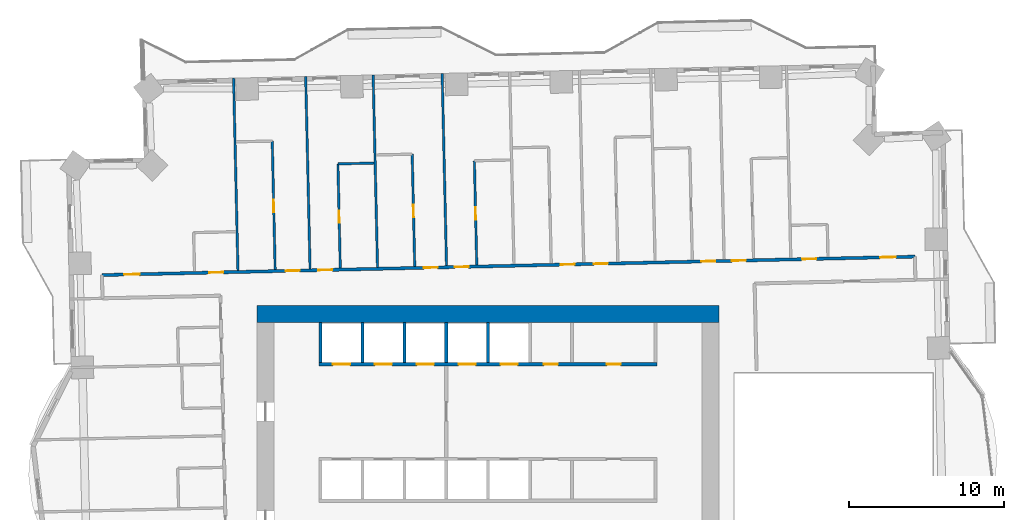
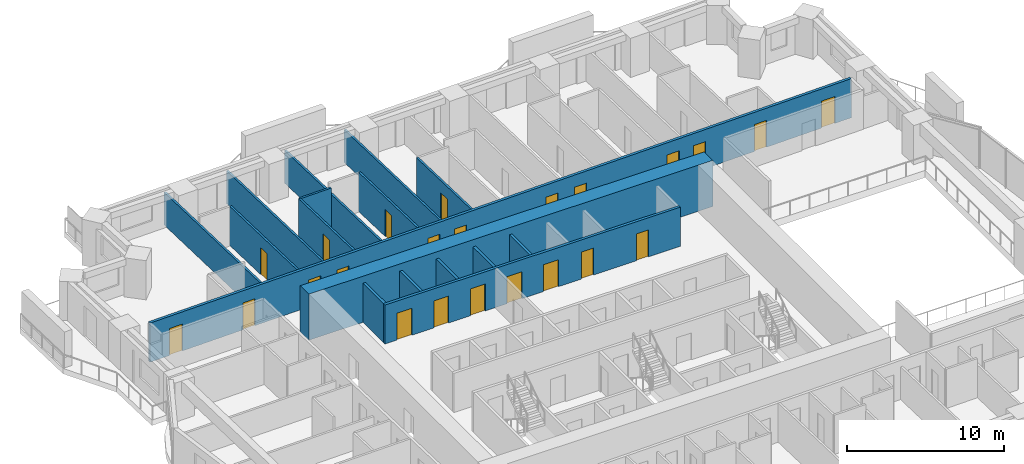
# One storey, part 11 of 17: 23 doors, 17 walls, 23 openings.
"""IFC4 building model written with IfcOpenShell, lengths in metres."""

from ifc_helpers import new_model, si_unit, direction, frame, frame_2d, origin, place, context, subcontext, project, spatial, rectangle, extrude, material, layer, layer_set, type_object, element, fill, save


model = new_model("IFC4")

# Units and contexts
model_context = context("Model", 3, precision=1e-05, world=origin(), true_north=direction((0.0, 1.0)))
body_context = subcontext(model_context, "Body", "Model", "MODEL_VIEW")
ifc_project = project(units=[si_unit("LENGTHUNIT", "METRE"), si_unit("AREAUNIT", "SQUARE_METRE"), si_unit("VOLUMEUNIT", "CUBIC_METRE"), si_unit("PLANEANGLEUNIT", "RADIAN"), si_unit("MASSUNIT", "GRAM", prefix="KILO")], contexts=[model_context])

# Site, building, storey
site_placement = place(None, origin())
site = spatial("IfcSite", under=ifc_project, at=site_placement, CompositionType="ELEMENT")
building_placement = place(site_placement, origin())
building = spatial("IfcBuilding", under=site, at=building_placement, Name="Mangrove Gate Tower", CompositionType="ELEMENT")
storey_placement = place(building_placement, frame((0.0, 0.0, 79.300048828125)))
storey = spatial("IfcBuildingStorey", under=building, at=storey_placement, Name="L19", CompositionType="ELEMENT", Elevation=79.300048828125)

# Wall, openings, doors
ifc_material_1 = material(Name="Concrete C70/85", Category="concrete")
ifc_layer_1 = layer(ifc_material_1, 0.199951171875)
ifc_layer_set_1 = layer_set([ifc_layer_1], Name="Core shaft wall 200 C70/85")
wall_type_1 = type_object("IfcWallType", Name="Core shaft wall 200 C70/85", PredefinedType="SHEAR", material=ifc_layer_set_1)
wall_1_placement = place(storey_placement, frame((-10.89990234375, 8.10009765625, 0.0), z_axis=(0.0, 0.0, 1.0), x_axis=(1.0, 0.0, 0.0)))
wall_1 = element("IfcWall", 1, at=wall_1_placement, inside=storey, type_object=wall_type_1, Name="WALL-L19-CORE-8", PredefinedType="SHEAR", context=body_context, shape_type="SweptSolid", body=[
    extrude(rectangle(XDim=21.7998046875, YDim=0.199951171875, at=frame_2d((10.89990234375, 0.0))), origin(), (0.0, 0.0, 1.0), 3.050048828125),
])
opening_1_placement = place(wall_1_placement, frame((0.89990234375, 0.0, 0.0)))
opening_1 = element("IfcOpeningElement", 2, at=opening_1_placement, cuts=wall_1, Name="Opening LD", PredefinedType="OPENING", context=body_context, shape_type="SweptSolid", body=[
    extrude(rectangle(XDim=1.10009765625, YDim=2.10009765625, at=frame_2d((0.550048828125, 1.050048828125))), frame((0.0, 0.10986328125, 0.0), z_axis=(0.0, -1.0, 0.0), x_axis=(1.0, 0.0, 0.0)), (0.0, 0.0, 1.0), 0.219970703125),
])
opening_2_placement = place(wall_1_placement, frame((3.60009765625, 0.0, 0.0)))
opening_2 = element("IfcOpeningElement", 3, at=opening_2_placement, cuts=wall_1, Name="Opening LD", PredefinedType="OPENING", context=body_context, shape_type="SweptSolid", body=[
    extrude(rectangle(XDim=1.10009765625, YDim=2.10009765625, at=frame_2d((0.550048828125, 1.050048828125))), frame((0.0, 0.10986328125, 0.0), z_axis=(0.0, -1.0, 0.0), x_axis=(1.0, 0.0, 0.0)), (0.0, 0.0, 1.0), 0.219970703125),
])
opening_3_placement = place(wall_1_placement, frame((6.300048828125, 0.0, 0.0)))
opening_3 = element("IfcOpeningElement", 4, at=opening_3_placement, cuts=wall_1, Name="Opening LD", PredefinedType="OPENING", context=body_context, shape_type="SweptSolid", body=[
    extrude(rectangle(XDim=1.10009765625, YDim=2.10009765625, at=frame_2d((0.550048828125, 1.050048828125))), frame((0.0, 0.10986328125, 0.0), z_axis=(0.0, -1.0, 0.0), x_axis=(1.0, 0.0, 0.0)), (0.0, 0.0, 1.0), 0.219970703125),
])
opening_4_placement = place(wall_1_placement, frame((9.0, 0.0, 0.0)))
opening_4 = element("IfcOpeningElement", 5, at=opening_4_placement, cuts=wall_1, Name="Opening LD", PredefinedType="OPENING", context=body_context, shape_type="SweptSolid", body=[
    extrude(rectangle(XDim=1.10009765625, YDim=2.10009765625, at=frame_2d((0.550048828125, 1.050048828125))), frame((0.0, 0.10986328125, 0.0), z_axis=(0.0, -1.0, 0.0), x_axis=(1.0, 0.0, 0.0)), (0.0, 0.0, 1.0), 0.219970703125),
])
opening_5_placement = place(wall_1_placement, frame((11.699951171875, 0.0, 0.0)))
opening_5 = element("IfcOpeningElement", 6, at=opening_5_placement, cuts=wall_1, Name="Opening LD", PredefinedType="OPENING", context=body_context, shape_type="SweptSolid", body=[
    extrude(rectangle(XDim=1.10009765625, YDim=2.10009765625, at=frame_2d((0.550048828125, 1.050048828125))), frame((0.0, 0.10986328125, 0.0), z_axis=(0.0, -1.0, 0.0), x_axis=(1.0, 0.0, 0.0)), (0.0, 0.0, 1.0), 0.219970703125),
])
opening_6_placement = place(wall_1_placement, frame((14.5, 0.0, 0.0)))
opening_6 = element("IfcOpeningElement", 7, at=opening_6_placement, cuts=wall_1, Name="Opening KD", PredefinedType="OPENING", context=body_context, shape_type="SweptSolid", body=[
    extrude(rectangle(XDim=0.89990234375, YDim=2.10009765625, at=frame_2d((0.449951171875, 1.050048828125))), frame((0.0, 0.10986328125, 0.0), z_axis=(0.0, -1.0, 0.0), x_axis=(1.0, 0.0, 0.0)), (0.0, 0.0, 1.0), 0.219970703125),
])
opening_7_placement = place(wall_1_placement, frame((18.550048828125, 0.0, 0.0)))
opening_7 = element("IfcOpeningElement", 8, at=opening_7_placement, cuts=wall_1, Name="Opening RD", PredefinedType="OPENING", context=body_context, shape_type="SweptSolid", body=[
    extrude(rectangle(XDim=0.89990234375, YDim=2.10009765625, at=frame_2d((0.449951171875, 1.050048828125))), frame((0.0, 0.10986328125, 0.0), z_axis=(0.0, -1.0, 0.0), x_axis=(1.0, 0.0, 0.0)), (0.0, 0.0, 1.0), 0.219970703125),
])
ifc_material_2 = material(Name="Fire-rated steel door set", Category="steel")
door_type_1 = type_object("IfcDoorType", Name="Core room door FD30S 900x2100", OperationType="SINGLE_SWING_RIGHT", PredefinedType="DOOR", material=ifc_material_2)
door_1_placement = place(opening_6_placement, origin())
door_1 = element("IfcDoor", 9, at=door_1_placement, inside=storey, type_object=door_type_1, Name="Core room door Linen store", OperationType="SINGLE_SWING_RIGHT", OverallHeight=2.10009765625, OverallWidth=0.89990234375, PredefinedType="DOOR", context=body_context, shape_type="SweptSolid", body=[
    extrude(rectangle(XDim=0.89990234375, YDim=2.10009765625, at=frame_2d((0.449951171875, 1.050048828125))), frame((0.0, 0.02490234375, 0.0), z_axis=(0.0, -1.0, 0.0), x_axis=(1.0, 0.0, 0.0)), (0.0, 0.0, 1.0), 0.050048828125),
])
fill(opening_6, door_1)
ifc_material_3 = material(Name="Stainless steel 316", Category="steel")
door_type_2 = type_object("IfcDoorType", Name="Lift landing door 1100x2100", OperationType="SLIDING_TO_LEFT", PredefinedType="DOOR", material=ifc_material_3)
door_2_placement = place(opening_1_placement, origin())
door_2 = element("IfcDoor", 10, at=door_2_placement, inside=storey, type_object=door_type_2, Name="Landing door LD P06", OperationType="SLIDING_TO_LEFT", OverallHeight=2.10009765625, OverallWidth=1.10009765625, PredefinedType="DOOR", context=body_context, shape_type="SweptSolid", body=[
    extrude(rectangle(XDim=1.10009765625, YDim=2.10009765625, at=frame_2d((0.550048828125, 1.050048828125))), frame((0.0, 0.02490234375, 0.0), z_axis=(0.0, -1.0, 0.0), x_axis=(1.0, 0.0, 0.0)), (0.0, 0.0, 1.0), 0.050048828125),
])
fill(opening_1, door_2)
door_3_placement = place(opening_2_placement, origin())
door_3 = element("IfcDoor", 11, at=door_3_placement, inside=storey, type_object=door_type_2, Name="Landing door LD P07", OperationType="SLIDING_TO_LEFT", OverallHeight=2.10009765625, OverallWidth=1.10009765625, PredefinedType="DOOR", context=body_context, shape_type="SweptSolid", body=[
    extrude(rectangle(XDim=1.10009765625, YDim=2.10009765625, at=frame_2d((0.550048828125, 1.050048828125))), frame((0.0, 0.02490234375, 0.0), z_axis=(0.0, -1.0, 0.0), x_axis=(1.0, 0.0, 0.0)), (0.0, 0.0, 1.0), 0.050048828125),
])
fill(opening_2, door_3)
door_4_placement = place(opening_3_placement, origin())
door_4 = element("IfcDoor", 12, at=door_4_placement, inside=storey, type_object=door_type_2, Name="Landing door LD P08", OperationType="SLIDING_TO_LEFT", OverallHeight=2.10009765625, OverallWidth=1.10009765625, PredefinedType="DOOR", context=body_context, shape_type="SweptSolid", body=[
    extrude(rectangle(XDim=1.10009765625, YDim=2.10009765625, at=frame_2d((0.550048828125, 1.050048828125))), frame((0.0, 0.02490234375, 0.0), z_axis=(0.0, -1.0, 0.0), x_axis=(1.0, 0.0, 0.0)), (0.0, 0.0, 1.0), 0.050048828125),
])
fill(opening_3, door_4)
door_5_placement = place(opening_4_placement, origin())
door_5 = element("IfcDoor", 13, at=door_5_placement, inside=storey, type_object=door_type_2, Name="Landing door LD P09", OperationType="SLIDING_TO_LEFT", OverallHeight=2.10009765625, OverallWidth=1.10009765625, PredefinedType="DOOR", context=body_context, shape_type="SweptSolid", body=[
    extrude(rectangle(XDim=1.10009765625, YDim=2.10009765625, at=frame_2d((0.550048828125, 1.050048828125))), frame((0.0, 0.02490234375, 0.0), z_axis=(0.0, -1.0, 0.0), x_axis=(1.0, 0.0, 0.0)), (0.0, 0.0, 1.0), 0.050048828125),
])
fill(opening_4, door_5)
door_6_placement = place(opening_5_placement, origin())
door_6 = element("IfcDoor", 14, at=door_6_placement, inside=storey, type_object=door_type_2, Name="Landing door LD P10", OperationType="SLIDING_TO_LEFT", OverallHeight=2.10009765625, OverallWidth=1.10009765625, PredefinedType="DOOR", context=body_context, shape_type="SweptSolid", body=[
    extrude(rectangle(XDim=1.10009765625, YDim=2.10009765625, at=frame_2d((0.550048828125, 1.050048828125))), frame((0.0, 0.02490234375, 0.0), z_axis=(0.0, -1.0, 0.0), x_axis=(1.0, 0.0, 0.0)), (0.0, 0.0, 1.0), 0.050048828125),
])
fill(opening_5, door_6)
ifc_material_4 = material(Name="Fire-rated steel door set", Category="steel")
door_type_3 = type_object("IfcDoorType", Name="Riser door FD30S 900x2100", OperationType="SINGLE_SWING_LEFT", PredefinedType="DOOR", material=ifc_material_4)
door_7_placement = place(opening_7_placement, origin())
door_7 = element("IfcDoor", 15, at=door_7_placement, inside=storey, type_object=door_type_3, Name="Riser door Switch room", OperationType="SINGLE_SWING_LEFT", OverallHeight=2.10009765625, OverallWidth=0.89990234375, PredefinedType="DOOR", context=body_context, shape_type="SweptSolid", body=[
    extrude(rectangle(XDim=0.89990234375, YDim=2.10009765625, at=frame_2d((0.449951171875, 1.050048828125))), frame((0.0, 0.02490234375, 0.0), z_axis=(0.0, -1.0, 0.0), x_axis=(1.0, 0.0, 0.0)), (0.0, 0.0, 1.0), 0.050048828125),
])
fill(opening_7, door_7)

# Walls
for number, where, z_axis, x_axis, name in (
    (16, (-10.800048828125, 8.199951171875, 0.0), (0.0, 0.0, 1.0), (0.0, 1.0, 0.0), "WALL-L19-CORE-27"),
    (17, (-8.10009765625, 8.199951171875, 0.0), (0.0, 0.0, 1.0), (0.0, 1.0, 0.0), "WALL-L19-CORE-28"),
    (18, (-5.39990234375, 8.199951171875, 0.0), (0.0, 0.0, 1.0), (0.0, 1.0, 0.0), "WALL-L19-CORE-29"),
    (19, (-2.699951171875, 8.199951171875, 0.0), (0.0, 0.0, 1.0), (0.0, 1.0, 0.0), "WALL-L19-CORE-30"),
    (20, (0.0, 8.199951171875, 0.0), (0.0, 0.0, 1.0), (0.0, 1.0, 0.0), "WALL-L19-CORE-31"),
):
    element("IfcWall", number, at=place(storey_placement, frame(where, z_axis=z_axis, x_axis=x_axis)), inside=storey, type_object=wall_type_1, Name=name, PredefinedType="SHEAR", context=body_context, shape_type="SweptSolid", body=[
        extrude(rectangle(XDim=2.60009765625, YDim=0.199951171875, at=frame_2d((1.300048828125, 0.0))), origin(), (0.0, 0.0, 1.0), 3.050048828125),
    ])
ifc_material_5 = material(Name="Concrete C70/85", Category="concrete")
ifc_layer_2 = layer(ifc_material_5, 1.10009765625)
ifc_layer_set_2 = layer_set([ifc_layer_2], Name="Core wall 1100 C70/85")
wall_type_2 = type_object("IfcWallType", Name="Core wall 1100 C70/85", PredefinedType="SHEAR", material=ifc_layer_set_2)
wall_2_placement = place(storey_placement, frame((-14.89990234375, 11.35009765625, 0.0), z_axis=(0.0, 0.0, 1.0), x_axis=(1.0, 0.0, 0.0)))
element("IfcWall", 21, at=wall_2_placement, inside=storey, type_object=wall_type_2, Name="WALL-L19-CORE-2", PredefinedType="SHEAR", context=body_context, shape_type="SweptSolid", body=[
    extrude(rectangle(XDim=29.7998046875, YDim=1.10009765625, at=frame_2d((14.89990234375, 0.0))), origin(), (0.0, 0.0, 1.0), 3.599853515625),
])

# Wall, openings, doors
ifc_material_6 = material(Name="Gypsum board on steel stud, EI 60", Category="steel")
ifc_layer_3 = layer(ifc_material_6, 0.199951171875)
ifc_layer_set_3 = layer_set([ifc_layer_3], Name="Corridor wall EI 60")
wall_type_3 = type_object("IfcWallType", Name="Corridor wall EI 60", PredefinedType="PARTITIONING", material=ifc_layer_set_3)
wall_3_placement = place(storey_placement, frame((-24.89501953125, 13.85205078125, 0.0), z_axis=(0.0, 0.0, 1.0), x_axis=(0.999742765181, 0.02268046447, 0.0)))
wall_3 = element("IfcWall", 22, at=wall_3_placement, inside=storey, type_object=wall_type_3, Name="WALL-L19-061", PredefinedType="PARTITIONING", context=body_context, shape_type="SweptSolid", body=[
    extrude(rectangle(XDim=52.42236328125, YDim=0.199951171875, at=frame_2d((26.211181640625, 0.0))), origin(), (0.0, 0.0, 1.0), 3.050048828125),
])
opening_8_placement = place(wall_3_placement, frame((50.18603515625, 0.0, 0.0)))
opening_8 = element("IfcOpeningElement", 23, at=opening_8_placement, cuts=wall_3, Name="Opening AD", PredefinedType="OPENING", context=body_context, shape_type="SweptSolid", body=[
    extrude(rectangle(XDim=1.0, YDim=2.10009765625, at=frame_2d((0.5, 1.050048828125))), frame((0.0, 0.10986328125, 0.0), z_axis=(0.0, -1.0, 0.0), x_axis=(1.0, 0.0, 0.0)), (0.0, 0.0, 1.0), 0.219970703125),
])
opening_9_placement = place(wall_3_placement, frame((45.175048828125, 0.0, 0.0)))
opening_9 = element("IfcOpeningElement", 24, at=opening_9_placement, cuts=wall_3, Name="Opening SD", PredefinedType="OPENING", context=body_context, shape_type="SweptSolid", body=[
    extrude(rectangle(XDim=0.89990234375, YDim=2.10009765625, at=frame_2d((0.449951171875, 1.050048828125))), frame((0.0, 0.10986328125, 0.0), z_axis=(0.0, -1.0, 0.0), x_axis=(1.0, 0.0, 0.0)), (0.0, 0.0, 1.0), 0.219970703125),
])
opening_10_placement = place(wall_3_placement, frame((40.625, 0.0, 0.0)))
opening_10 = element("IfcOpeningElement", 25, at=opening_10_placement, cuts=wall_3, Name="Opening BD", PredefinedType="OPENING", context=body_context, shape_type="SweptSolid", body=[
    extrude(rectangle(XDim=0.89990234375, YDim=2.10009765625, at=frame_2d((0.449951171875, 1.050048828125))), frame((0.0, 0.10986328125, 0.0), z_axis=(0.0, -1.0, 0.0), x_axis=(1.0, 0.0, 0.0)), (0.0, 0.0, 1.0), 0.219970703125),
])
opening_11_placement = place(wall_3_placement, frame((38.64990234375, 0.0, 0.0)))
opening_11 = element("IfcOpeningElement", 26, at=opening_11_placement, cuts=wall_3, Name="Opening BD", PredefinedType="OPENING", context=body_context, shape_type="SweptSolid", body=[
    extrude(rectangle(XDim=0.89990234375, YDim=2.10009765625, at=frame_2d((0.449951171875, 1.050048828125))), frame((0.0, 0.10986328125, 0.0), z_axis=(0.0, -1.0, 0.0), x_axis=(1.0, 0.0, 0.0)), (0.0, 0.0, 1.0), 0.219970703125),
])
opening_12_placement = place(wall_3_placement, frame((31.72509765625, 0.0, 0.0)))
opening_12 = element("IfcOpeningElement", 27, at=opening_12_placement, cuts=wall_3, Name="Opening BD", PredefinedType="OPENING", context=body_context, shape_type="SweptSolid", body=[
    extrude(rectangle(XDim=0.89990234375, YDim=2.10009765625, at=frame_2d((0.449951171875, 1.050048828125))), frame((0.0, 0.10986328125, 0.0), z_axis=(0.0, -1.0, 0.0), x_axis=(1.0, 0.0, 0.0)), (0.0, 0.0, 1.0), 0.219970703125),
])
opening_13_placement = place(wall_3_placement, frame((29.574951171875, 0.0, 0.0)))
opening_13 = element("IfcOpeningElement", 28, at=opening_13_placement, cuts=wall_3, Name="Opening BD", PredefinedType="OPENING", context=body_context, shape_type="SweptSolid", body=[
    extrude(rectangle(XDim=0.89990234375, YDim=2.10009765625, at=frame_2d((0.449951171875, 1.050048828125))), frame((0.0, 0.10986328125, 0.0), z_axis=(0.0, -1.0, 0.0), x_axis=(1.0, 0.0, 0.0)), (0.0, 0.0, 1.0), 0.219970703125),
])
opening_14_placement = place(wall_3_placement, frame((22.75, 0.0, 0.0)))
opening_14 = element("IfcOpeningElement", 29, at=opening_14_placement, cuts=wall_3, Name="Opening BD", PredefinedType="OPENING", context=body_context, shape_type="SweptSolid", body=[
    extrude(rectangle(XDim=0.89990234375, YDim=2.10009765625, at=frame_2d((0.449951171875, 1.050048828125))), frame((0.0, 0.10986328125, 0.0), z_axis=(0.0, -1.0, 0.0), x_axis=(1.0, 0.0, 0.0)), (0.0, 0.0, 1.0), 0.219970703125),
])
opening_15_placement = place(wall_3_placement, frame((20.75, 0.0, 0.0)))
opening_15 = element("IfcOpeningElement", 30, at=opening_15_placement, cuts=wall_3, Name="Opening BD", PredefinedType="OPENING", context=body_context, shape_type="SweptSolid", body=[
    extrude(rectangle(XDim=0.89990234375, YDim=2.10009765625, at=frame_2d((0.449951171875, 1.050048828125))), frame((0.0, 0.10986328125, 0.0), z_axis=(0.0, -1.0, 0.0), x_axis=(1.0, 0.0, 0.0)), (0.0, 0.0, 1.0), 0.219970703125),
])
opening_16_placement = place(wall_3_placement, frame((13.949951171875, 0.0, 0.0)))
opening_16 = element("IfcOpeningElement", 31, at=opening_16_placement, cuts=wall_3, Name="Opening BD", PredefinedType="OPENING", context=body_context, shape_type="SweptSolid", body=[
    extrude(rectangle(XDim=0.89990234375, YDim=2.10009765625, at=frame_2d((0.449951171875, 1.050048828125))), frame((0.0, 0.10986328125, 0.0), z_axis=(0.0, -1.0, 0.0), x_axis=(1.0, 0.0, 0.0)), (0.0, 0.0, 1.0), 0.219970703125),
])
opening_17_placement = place(wall_3_placement, frame((11.85009765625, 0.0, 0.0)))
opening_17 = element("IfcOpeningElement", 32, at=opening_17_placement, cuts=wall_3, Name="Opening BD", PredefinedType="OPENING", context=body_context, shape_type="SweptSolid", body=[
    extrude(rectangle(XDim=0.89990234375, YDim=2.10009765625, at=frame_2d((0.449951171875, 1.050048828125))), frame((0.0, 0.10986328125, 0.0), z_axis=(0.0, -1.0, 0.0), x_axis=(1.0, 0.0, 0.0)), (0.0, 0.0, 1.0), 0.219970703125),
])
opening_18_placement = place(wall_3_placement, frame((1.425048828125, 0.0, 0.0)))
opening_18 = element("IfcOpeningElement", 33, at=opening_18_placement, cuts=wall_3, Name="Opening AD", PredefinedType="OPENING", context=body_context, shape_type="SweptSolid", body=[
    extrude(rectangle(XDim=1.0, YDim=2.10009765625, at=frame_2d((0.5, 1.050048828125))), frame((0.0, 0.10986328125, 0.0), z_axis=(0.0, -1.0, 0.0), x_axis=(1.0, 0.0, 0.0)), (0.0, 0.0, 1.0), 0.219970703125),
])
opening_19_placement = place(wall_3_placement, frame((6.925048828125, 0.0, 0.0)))
opening_19 = element("IfcOpeningElement", 34, at=opening_19_placement, cuts=wall_3, Name="Opening SD", PredefinedType="OPENING", context=body_context, shape_type="SweptSolid", body=[
    extrude(rectangle(XDim=0.89990234375, YDim=2.10009765625, at=frame_2d((0.449951171875, 1.050048828125))), frame((0.0, 0.10986328125, 0.0), z_axis=(0.0, -1.0, 0.0), x_axis=(1.0, 0.0, 0.0)), (0.0, 0.0, 1.0), 0.219970703125),
])
ifc_material_7 = material(Name="Timber door leaf", Category="wood")
door_type_4 = type_object("IfcDoorType", Name="Amenity door 1000", OperationType="SINGLE_SWING_LEFT", PredefinedType="DOOR", material=ifc_material_7)
door_8_placement = place(opening_8_placement, origin())
door_8 = element("IfcDoor", 35, at=door_8_placement, inside=storey, type_object=door_type_4, Name="DOOR-L19-GAM-c3c", OperationType="SINGLE_SWING_LEFT", OverallHeight=2.10009765625, OverallWidth=1.0, PredefinedType="DOOR", context=body_context, shape_type="SweptSolid", body=[
    extrude(rectangle(XDim=1.0, YDim=2.10009765625, at=frame_2d((0.5, 1.050048828125))), frame((0.0, 0.02490234375, 0.0), z_axis=(0.0, -1.0, 0.0), x_axis=(1.0, 0.0, 0.0)), (0.0, 0.0, 1.0), 0.050048828125),
])
fill(opening_8, door_8)
door_9_placement = place(opening_18_placement, origin())
door_9 = element("IfcDoor", 36, at=door_9_placement, inside=storey, type_object=door_type_4, Name="DOOR-L19-GAM-c5a", OperationType="SINGLE_SWING_RIGHT", OverallHeight=2.10009765625, OverallWidth=1.0, PredefinedType="DOOR", context=body_context, shape_type="SweptSolid", body=[
    extrude(rectangle(XDim=1.0, YDim=2.10009765625, at=frame_2d((0.5, 1.050048828125))), frame((0.0, 0.02490234375, 0.0), z_axis=(0.0, -1.0, 0.0), x_axis=(1.0, 0.0, 0.0)), (0.0, 0.0, 1.0), 0.050048828125),
])
fill(opening_18, door_9)
ifc_material_8 = material(Name="Timber door leaf", Category="wood")
door_type_5 = type_object("IfcDoorType", Name="Bedroom door 900", OperationType="SINGLE_SWING_LEFT", PredefinedType="DOOR", material=ifc_material_8)
door_10_placement = place(opening_10_placement, origin())
door_10 = element("IfcDoor", 37, at=door_10_placement, inside=storey, type_object=door_type_5, Name="DOOR-L19-BED-c309", OperationType="SINGLE_SWING_LEFT", OverallHeight=2.10009765625, OverallWidth=0.89990234375, PredefinedType="DOOR", context=body_context, shape_type="SweptSolid", body=[
    extrude(rectangle(XDim=0.89990234375, YDim=2.10009765625, at=frame_2d((0.449951171875, 1.050048828125))), frame((0.0, 0.02490234375, 0.0), z_axis=(0.0, -1.0, 0.0), x_axis=(1.0, 0.0, 0.0)), (0.0, 0.0, 1.0), 0.050048828125),
])
fill(opening_10, door_10)
door_11_placement = place(opening_11_placement, origin())
door_11 = element("IfcDoor", 38, at=door_11_placement, inside=storey, type_object=door_type_5, Name="DOOR-L19-BED-c310", OperationType="SINGLE_SWING_RIGHT", OverallHeight=2.10009765625, OverallWidth=0.89990234375, PredefinedType="DOOR", context=body_context, shape_type="SweptSolid", body=[
    extrude(rectangle(XDim=0.89990234375, YDim=2.10009765625, at=frame_2d((0.449951171875, 1.050048828125))), frame((0.0, 0.02490234375, 0.0), z_axis=(0.0, -1.0, 0.0), x_axis=(1.0, 0.0, 0.0)), (0.0, 0.0, 1.0), 0.050048828125),
])
fill(opening_11, door_11)
door_12_placement = place(opening_12_placement, origin())
door_12 = element("IfcDoor", 39, at=door_12_placement, inside=storey, type_object=door_type_5, Name="DOOR-L19-BED-c411", OperationType="SINGLE_SWING_LEFT", OverallHeight=2.10009765625, OverallWidth=0.89990234375, PredefinedType="DOOR", context=body_context, shape_type="SweptSolid", body=[
    extrude(rectangle(XDim=0.89990234375, YDim=2.10009765625, at=frame_2d((0.449951171875, 1.050048828125))), frame((0.0, 0.02490234375, 0.0), z_axis=(0.0, -1.0, 0.0), x_axis=(1.0, 0.0, 0.0)), (0.0, 0.0, 1.0), 0.050048828125),
])
fill(opening_12, door_12)
door_13_placement = place(opening_13_placement, origin())
door_13 = element("IfcDoor", 40, at=door_13_placement, inside=storey, type_object=door_type_5, Name="DOOR-L19-BED-c412", OperationType="SINGLE_SWING_RIGHT", OverallHeight=2.10009765625, OverallWidth=0.89990234375, PredefinedType="DOOR", context=body_context, shape_type="SweptSolid", body=[
    extrude(rectangle(XDim=0.89990234375, YDim=2.10009765625, at=frame_2d((0.449951171875, 1.050048828125))), frame((0.0, 0.02490234375, 0.0), z_axis=(0.0, -1.0, 0.0), x_axis=(1.0, 0.0, 0.0)), (0.0, 0.0, 1.0), 0.050048828125),
])
fill(opening_13, door_13)
door_14_placement = place(opening_14_placement, origin())
door_14 = element("IfcDoor", 41, at=door_14_placement, inside=storey, type_object=door_type_5, Name="DOOR-L19-BED-c413", OperationType="SINGLE_SWING_LEFT", OverallHeight=2.10009765625, OverallWidth=0.89990234375, PredefinedType="DOOR", context=body_context, shape_type="SweptSolid", body=[
    extrude(rectangle(XDim=0.89990234375, YDim=2.10009765625, at=frame_2d((0.449951171875, 1.050048828125))), frame((0.0, 0.02490234375, 0.0), z_axis=(0.0, -1.0, 0.0), x_axis=(1.0, 0.0, 0.0)), (0.0, 0.0, 1.0), 0.050048828125),
])
fill(opening_14, door_14)
door_15_placement = place(opening_15_placement, origin())
door_15 = element("IfcDoor", 42, at=door_15_placement, inside=storey, type_object=door_type_5, Name="DOOR-L19-BED-c514", OperationType="SINGLE_SWING_RIGHT", OverallHeight=2.10009765625, OverallWidth=0.89990234375, PredefinedType="DOOR", context=body_context, shape_type="SweptSolid", body=[
    extrude(rectangle(XDim=0.89990234375, YDim=2.10009765625, at=frame_2d((0.449951171875, 1.050048828125))), frame((0.0, 0.02490234375, 0.0), z_axis=(0.0, -1.0, 0.0), x_axis=(1.0, 0.0, 0.0)), (0.0, 0.0, 1.0), 0.050048828125),
])
fill(opening_15, door_15)
door_16_placement = place(opening_16_placement, origin())
door_16 = element("IfcDoor", 43, at=door_16_placement, inside=storey, type_object=door_type_5, Name="DOOR-L19-BED-c515", OperationType="SINGLE_SWING_LEFT", OverallHeight=2.10009765625, OverallWidth=0.89990234375, PredefinedType="DOOR", context=body_context, shape_type="SweptSolid", body=[
    extrude(rectangle(XDim=0.89990234375, YDim=2.10009765625, at=frame_2d((0.449951171875, 1.050048828125))), frame((0.0, 0.02490234375, 0.0), z_axis=(0.0, -1.0, 0.0), x_axis=(1.0, 0.0, 0.0)), (0.0, 0.0, 1.0), 0.050048828125),
])
fill(opening_16, door_16)
door_17_placement = place(opening_17_placement, origin())
door_17 = element("IfcDoor", 44, at=door_17_placement, inside=storey, type_object=door_type_5, Name="DOOR-L19-BED-c516", OperationType="SINGLE_SWING_RIGHT", OverallHeight=2.10009765625, OverallWidth=0.89990234375, PredefinedType="DOOR", context=body_context, shape_type="SweptSolid", body=[
    extrude(rectangle(XDim=0.89990234375, YDim=2.10009765625, at=frame_2d((0.449951171875, 1.050048828125))), frame((0.0, 0.02490234375, 0.0), z_axis=(0.0, -1.0, 0.0), x_axis=(1.0, 0.0, 0.0)), (0.0, 0.0, 1.0), 0.050048828125),
])
fill(opening_17, door_17)
ifc_material_9 = material(Name="Timber door leaf", Category="wood")
door_type_6 = type_object("IfcDoorType", Name="Service room door 900", OperationType="SINGLE_SWING_LEFT", PredefinedType="DOOR", material=ifc_material_9)
door_18_placement = place(opening_9_placement, origin())
door_18 = element("IfcDoor", 45, at=door_18_placement, inside=storey, type_object=door_type_6, Name="DOOR-L19-LIN-c3a", OperationType="SINGLE_SWING_LEFT", OverallHeight=2.10009765625, OverallWidth=0.89990234375, PredefinedType="DOOR", context=body_context, shape_type="SweptSolid", body=[
    extrude(rectangle(XDim=0.89990234375, YDim=2.10009765625, at=frame_2d((0.449951171875, 1.050048828125))), frame((0.0, 0.02490234375, 0.0), z_axis=(0.0, -1.0, 0.0), x_axis=(1.0, 0.0, 0.0)), (0.0, 0.0, 1.0), 0.050048828125),
])
fill(opening_9, door_18)
door_19_placement = place(opening_19_placement, origin())
door_19 = element("IfcDoor", 46, at=door_19_placement, inside=storey, type_object=door_type_6, Name="DOOR-L19-LDY-c5a", OperationType="SINGLE_SWING_RIGHT", OverallHeight=2.10009765625, OverallWidth=0.89990234375, PredefinedType="DOOR", context=body_context, shape_type="SweptSolid", body=[
    extrude(rectangle(XDim=0.89990234375, YDim=2.10009765625, at=frame_2d((0.449951171875, 1.050048828125))), frame((0.0, 0.02490234375, 0.0), z_axis=(0.0, -1.0, 0.0), x_axis=(1.0, 0.0, 0.0)), (0.0, 0.0, 1.0), 0.050048828125),
])
fill(opening_19, door_19)

# Wall
ifc_material_10 = material(Name="Gypsum board on steel stud, EI 60", Category="steel")
ifc_layer_4 = layer(ifc_material_10, 0.14990234375)
ifc_layer_set_4 = layer_set([ifc_layer_4], Name="Party wall 150 EI 60")
wall_type_4 = type_object("IfcWallType", Name="Party wall 150 EI 60", PredefinedType="PARTITIONING", material=ifc_layer_set_4)
wall_4_placement = place(storey_placement, frame((-16.1279296875, 14.15087890625, 0.0), z_axis=(0.0, 0.0, 1.0), x_axis=(-0.022739741597, 0.999741418644, 0.0)))
element("IfcWall", 47, at=wall_4_placement, inside=storey, type_object=wall_type_4, Name="WALL-L19-063", PredefinedType="PARTITIONING", context=body_context, shape_type="SweptSolid", body=[
    extrude(rectangle(XDim=12.400390625, YDim=0.14990234375, at=frame_2d((6.2001953125, 0.0))), origin(), (0.0, 0.0, 1.0), 2.550048828125),
])

# Wall, opening, door
wall_5_placement = place(storey_placement, frame((-13.72900390625, 14.205078125, 0.0), z_axis=(0.0, 0.0, 1.0), x_axis=(-0.022676583998, 0.999742853207, 0.0)))
wall_5 = element("IfcWall", 48, at=wall_5_placement, inside=storey, type_object=wall_type_4, Name="WALL-L19-064", PredefinedType="PARTITIONING", context=body_context, shape_type="SweptSolid", body=[
    extrude(rectangle(XDim=8.2900390625, YDim=0.14990234375, at=frame_2d((4.14501953125, 0.0))), origin(), (0.0, 0.0, 1.0), 3.050048828125),
])
opening_20_placement = place(wall_5_placement, frame((3.695068359375, 0.0, 0.0)))
opening_20 = element("IfcOpeningElement", 49, at=opening_20_placement, cuts=wall_5, Name="Opening ED", PredefinedType="OPENING", context=body_context, shape_type="SweptSolid", body=[
    extrude(rectangle(XDim=0.800048828125, YDim=2.10009765625, at=frame_2d((0.39990234375, 1.050048828125))), frame((0.0, 0.0849609375, 0.0), z_axis=(0.0, -1.0, 0.0), x_axis=(1.0, 0.0, 0.0)), (0.0, 0.0, 1.0), 0.169921875),
])
ifc_material_11 = material(Name="Timber door leaf", Category="wood")
door_type_7 = type_object("IfcDoorType", Name="En-suite door 800", OperationType="SINGLE_SWING_LEFT", PredefinedType="DOOR", material=ifc_material_11)
door_20_placement = place(opening_20_placement, origin())
door_20 = element("IfcDoor", 50, at=door_20_placement, inside=storey, type_object=door_type_7, Name="DOOR-L19-ENS-c516", OperationType="SINGLE_SWING_RIGHT", OverallHeight=2.10009765625, OverallWidth=0.800048828125, PredefinedType="DOOR", context=body_context, shape_type="SweptSolid", body=[
    extrude(rectangle(XDim=0.800048828125, YDim=2.10009765625, at=frame_2d((0.39990234375, 1.050048828125))), frame((0.0, 0.02490234375, 0.0), z_axis=(0.0, -1.0, 0.0), x_axis=(1.0, 0.0, 0.0)), (0.0, 0.0, 1.0), 0.050048828125),
])
fill(opening_20, door_20)

# Wall
wall_6_placement = place(storey_placement, frame((-11.47900390625, 14.257080078125, 0.0), z_axis=(0.0, 0.0, 1.0), x_axis=(-0.022741979748, 0.999741367733, 0.0)))
element("IfcWall", 51, at=wall_6_placement, inside=storey, type_object=wall_type_4, Name="WALL-L19-065", PredefinedType="PARTITIONING", context=body_context, shape_type="SweptSolid", body=[
    extrude(rectangle(XDim=12.399169921875, YDim=0.14990234375, at=frame_2d((6.19970703125, 0.0))), origin(), (0.0, 0.0, 1.0), 2.550048828125),
])

# Wall, opening, door
wall_7_placement = place(storey_placement, frame((-9.530029296875, 14.301025390625, 0.0), z_axis=(0.0, 0.0, 1.0), x_axis=(-0.022598435707, 0.999744622743, 0.0)))
wall_7 = element("IfcWall", 52, at=wall_7_placement, inside=storey, type_object=wall_type_4, Name="WALL-L19-066", PredefinedType="PARTITIONING", context=body_context, shape_type="SweptSolid", body=[
    extrude(rectangle(XDim=6.7197265625, YDim=0.14990234375, at=frame_2d((3.35986328125, 0.0))), origin(), (0.0, 0.0, 1.0), 3.050048828125),
])
opening_21_placement = place(wall_7_placement, frame((2.909912109375, 0.0, 0.0)))
opening_21 = element("IfcOpeningElement", 53, at=opening_21_placement, cuts=wall_7, Name="Opening ED", PredefinedType="OPENING", context=body_context, shape_type="SweptSolid", body=[
    extrude(rectangle(XDim=0.800048828125, YDim=2.10009765625, at=frame_2d((0.39990234375, 1.050048828125))), frame((0.0, 0.0849609375, 0.0), z_axis=(0.0, -1.0, 0.0), x_axis=(1.0, 0.0, 0.0)), (0.0, 0.0, 1.0), 0.169921875),
])
door_21_placement = place(opening_21_placement, origin())
door_21 = element("IfcDoor", 54, at=door_21_placement, inside=storey, type_object=door_type_7, Name="DOOR-L19-ENS-c515", OperationType="SINGLE_SWING_LEFT", OverallHeight=2.10009765625, OverallWidth=0.800048828125, PredefinedType="DOOR", context=body_context, shape_type="SweptSolid", body=[
    extrude(rectangle(XDim=0.800048828125, YDim=2.10009765625, at=frame_2d((0.39990234375, 1.050048828125))), frame((0.0, 0.02490234375, 0.0), z_axis=(0.0, -1.0, 0.0), x_axis=(1.0, 0.0, 0.0)), (0.0, 0.0, 1.0), 0.050048828125),
])
fill(opening_21, door_21)

# Wall
wall_8_placement = place(storey_placement, frame((-7.1298828125, 14.35498046875, 0.0), z_axis=(0.0, 0.0, 1.0), x_axis=(-0.022759867473, 0.999740960666, 0.0)))
element("IfcWall", 55, at=wall_8_placement, inside=storey, type_object=wall_type_4, Name="WALL-L19-067", PredefinedType="PARTITIONING", context=body_context, shape_type="SweptSolid", body=[
    extrude(rectangle(XDim=12.400146484375, YDim=0.14990234375, at=frame_2d((6.2001953125, 0.0))), origin(), (0.0, 0.0, 1.0), 2.550048828125),
])

# Wall, opening, door
wall_9_placement = place(storey_placement, frame((-4.73095703125, 14.409912109375, 0.0), z_axis=(0.0, 0.0, 1.0), x_axis=(-0.022660891034, 0.999743209038, 0.0)))
wall_9 = element("IfcWall", 56, at=wall_9_placement, inside=storey, type_object=wall_type_4, Name="WALL-L19-068", PredefinedType="PARTITIONING", context=body_context, shape_type="SweptSolid", body=[
    extrude(rectangle(XDim=7.239990234375, YDim=0.14990234375, at=frame_2d((3.6201171875, 0.0))), origin(), (0.0, 0.0, 1.0), 3.050048828125),
])
opening_22_placement = place(wall_9_placement, frame((3.169921875, 0.0, 0.0)))
opening_22 = element("IfcOpeningElement", 57, at=opening_22_placement, cuts=wall_9, Name="Opening ED", PredefinedType="OPENING", context=body_context, shape_type="SweptSolid", body=[
    extrude(rectangle(XDim=0.800048828125, YDim=2.10009765625, at=frame_2d((0.39990234375, 1.050048828125))), frame((0.0, 0.0849609375, 0.0), z_axis=(0.0, -1.0, 0.0), x_axis=(1.0, 0.0, 0.0)), (0.0, 0.0, 1.0), 0.169921875),
])
door_22_placement = place(opening_22_placement, origin())
door_22 = element("IfcDoor", 58, at=door_22_placement, inside=storey, type_object=door_type_7, Name="DOOR-L19-ENS-c514", OperationType="SINGLE_SWING_RIGHT", OverallHeight=2.10009765625, OverallWidth=0.800048828125, PredefinedType="DOOR", context=body_context, shape_type="SweptSolid", body=[
    extrude(rectangle(XDim=0.800048828125, YDim=2.10009765625, at=frame_2d((0.39990234375, 1.050048828125))), frame((0.0, 0.02490234375, 0.0), z_axis=(0.0, -1.0, 0.0), x_axis=(1.0, 0.0, 0.0)), (0.0, 0.0, 1.0), 0.050048828125),
])
fill(opening_22, door_22)

# Wall
wall_10_placement = place(storey_placement, frame((-2.681884765625, 14.4560546875, 0.0), z_axis=(0.0, 0.0, 1.0), x_axis=(-0.022661475803, 0.999743195783, 0.0)))
element("IfcWall", 59, at=wall_10_placement, inside=storey, type_object=wall_type_4, Name="WALL-L19-069", PredefinedType="PARTITIONING", context=body_context, shape_type="SweptSolid", body=[
    extrude(rectangle(XDim=12.400146484375, YDim=0.14990234375, at=frame_2d((6.2001953125, 0.0))), origin(), (0.0, 0.0, 1.0), 2.550048828125),
])

# Wall, opening, door
wall_11_placement = place(storey_placement, frame((-0.73193359375, 14.5, 0.0), z_axis=(0.0, 0.0, 1.0), x_axis=(-0.022776692057, 0.999740577499, 0.0)))
wall_11 = element("IfcWall", 60, at=wall_11_placement, inside=storey, type_object=wall_type_4, Name="WALL-L19-070", PredefinedType="PARTITIONING", context=body_context, shape_type="SweptSolid", body=[
    extrude(rectangle(XDim=6.720703125, YDim=0.14990234375, at=frame_2d((3.3603515625, 0.0))), origin(), (0.0, 0.0, 1.0), 3.050048828125),
])
opening_23_placement = place(wall_11_placement, frame((2.909912109375, 0.0, 0.0)))
opening_23 = element("IfcOpeningElement", 61, at=opening_23_placement, cuts=wall_11, Name="Opening ED", PredefinedType="OPENING", context=body_context, shape_type="SweptSolid", body=[
    extrude(rectangle(XDim=0.800048828125, YDim=2.10009765625, at=frame_2d((0.39990234375, 1.050048828125))), frame((0.0, 0.0849609375, 0.0), z_axis=(0.0, -1.0, 0.0), x_axis=(1.0, 0.0, 0.0)), (0.0, 0.0, 1.0), 0.169921875),
])
door_23_placement = place(opening_23_placement, origin())
door_23 = element("IfcDoor", 62, at=door_23_placement, inside=storey, type_object=door_type_7, Name="DOOR-L19-ENS-c413", OperationType="SINGLE_SWING_LEFT", OverallHeight=2.10009765625, OverallWidth=0.800048828125, PredefinedType="DOOR", context=body_context, shape_type="SweptSolid", body=[
    extrude(rectangle(XDim=0.800048828125, YDim=2.10009765625, at=frame_2d((0.39990234375, 1.050048828125))), frame((0.0, 0.02490234375, 0.0), z_axis=(0.0, -1.0, 0.0), x_axis=(1.0, 0.0, 0.0)), (0.0, 0.0, 1.0), 0.050048828125),
])
fill(opening_23, door_23)

# Wall
wall_12_placement = place(storey_placement, frame((-9.677978515625, 21.01904296875, 0.0), z_axis=(0.0, 0.0, 1.0), x_axis=(0.999740260747, 0.02279059109, 0.0)))
element("IfcWall", 63, at=wall_12_placement, inside=storey, type_object=wall_type_4, Name="WALL-L19-084", PredefinedType="PARTITIONING", context=body_context, shape_type="SweptSolid", body=[
    extrude(rectangle(XDim=2.324462890625, YDim=0.14990234375, at=frame_2d((1.162109375, 0.0))), origin(), (0.0, 0.0, 1.0), 3.050048828125),
])

save(model, "model.ifc")
